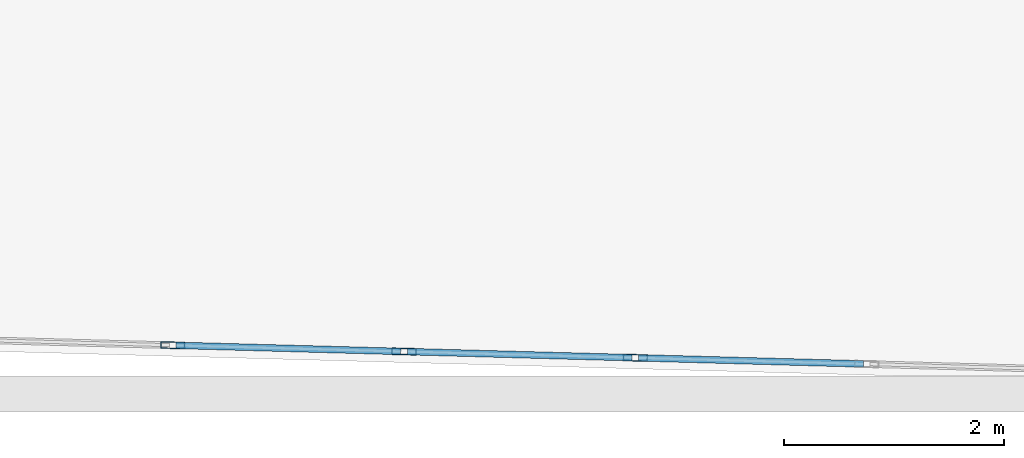
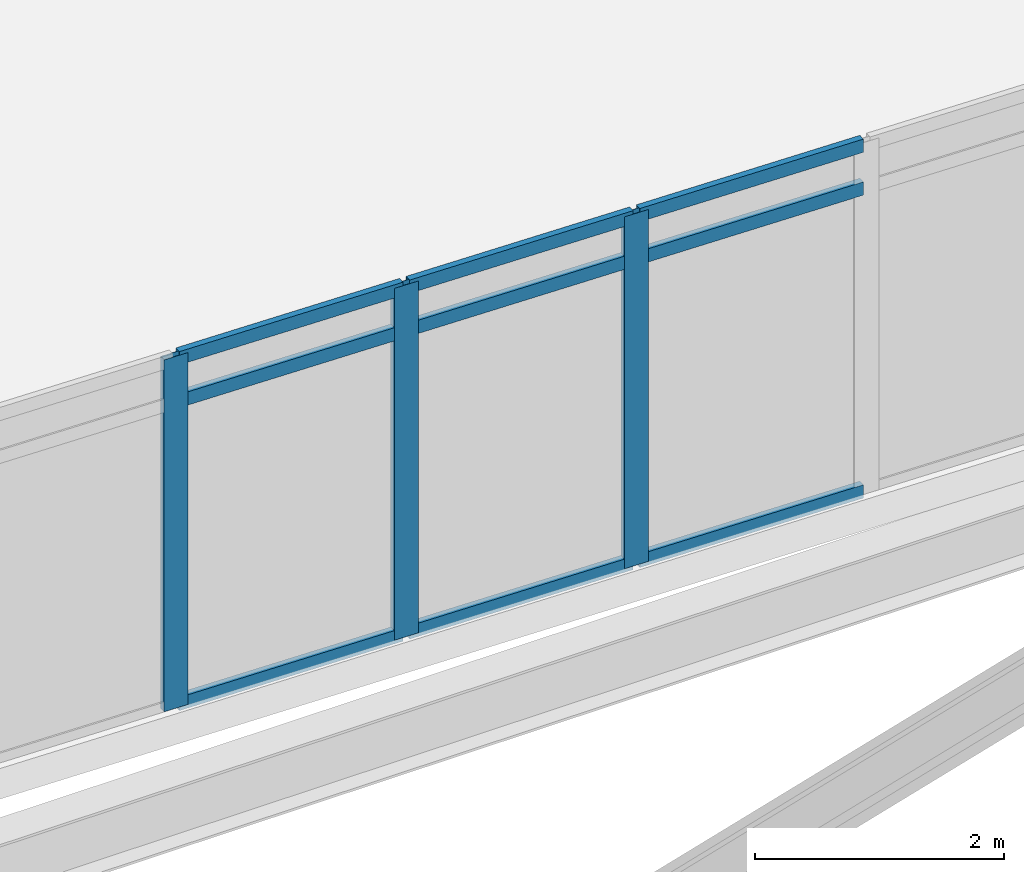
# One storey, part 9 of 38: 12 members, 1 element without a shape of its own.
"""IFC4 building model written with IfcOpenShell, lengths in metres."""

import ifcopenshell
import ifcopenshell.guid

model = None  # the IFC model being written
_history = None  # IfcOwnerHistory: only IFC2X3 demands one
_inside = {}  # id of a spatial element -> (the spatial element, [elements in it])
_under = {}  # id of a project, library or spatial element -> (it, [spatial elements below it])
_declared = {}  # id of a project -> (the project, [libraries it declares])
_typed = {}  # id of a type object -> (the type object, [elements of that type])
_made_of = {}  # id of a material, layer set ... -> (it, [elements and type objects made of it])


def new_model(schema):
    """Start an empty IFC model of exactly this schema.

    Asked for "IFC4X3", IfcOpenShell would pick the latest addendum, in which some entities
    have other attributes; the version numbers below select the first issue.
    IFC2X3 requires an IfcOwnerHistory on every rooted entity: one is made here for all.
    """
    global model, _history
    if schema == "IFC4X3":
        model = ifcopenshell.file(schema_version=(4, 3, 0, 0))
    else:
        model = ifcopenshell.file(schema=schema)
    _inside.clear()
    _under.clear()
    _declared.clear()
    _typed.clear()
    _made_of.clear()
    _history = None
    if model.schema == "IFC2X3":
        org = make("IfcOrganization", Name="unknown")
        user = make(
            "IfcPersonAndOrganization",
            ThePerson=make("IfcPerson", FamilyName="unknown"),
            TheOrganization=org,
        )
        app = make(
            "IfcApplication",
            ApplicationDeveloper=org,
            Version="unknown",
            ApplicationFullName="unknown",
            ApplicationIdentifier="unknown",
        )
        _history = make(
            "IfcOwnerHistory",
            OwningUser=user,
            OwningApplication=app,
            ChangeAction="ADDED",
            CreationDate=0,
        )
    return model


def make(cls, **values):
    """One entity of the class cls with the attributes given. An attribute that is None is left unset."""
    return model.create_entity(
        cls, **{name: value for name, value in values.items() if value is not None}
    )


def rooted(cls, **values):
    """An entity with a GlobalId (a new one), such as an element, a storey or a relation."""
    return make(cls, GlobalId=ifcopenshell.guid.new(), OwnerHistory=_history, **values)


def si_unit(unit_type, name, prefix=None):
    """IfcSIUnit, for example si_unit("LENGTHUNIT", "METRE", prefix="MILLI")."""
    return make("IfcSIUnit", UnitType=unit_type, Prefix=prefix, Name=name)


def assignment(units):
    """IfcUnitAssignment: the units of a project."""
    return None if units is None else make("IfcUnitAssignment", Units=units)


def point(xyz):
    """IfcCartesianPoint."""
    return None if xyz is None else make("IfcCartesianPoint", Coordinates=xyz)


def direction(xyz):
    """IfcDirection."""
    return None if xyz is None else make("IfcDirection", DirectionRatios=xyz)


def frame(location, z_axis=None, x_axis=None):
    """IfcAxis2Placement3D, a coordinate frame: its origin and axes. An axis left out is left unset."""
    return make(
        "IfcAxis2Placement3D",
        Location=point(location),
        Axis=direction(z_axis),
        RefDirection=direction(x_axis),
    )


def frame_2d(location, x_axis=None):
    """IfcAxis2Placement2D, a coordinate frame in the plane: its origin and x axis."""
    return make(
        "IfcAxis2Placement2D", Location=point(location), RefDirection=direction(x_axis)
    )


def origin():
    """The frame at (0, 0, 0) with its axes left unset."""
    return frame((0.0, 0.0, 0.0))


def origin_2d():
    """The frame at (0, 0) in the plane with its x axis left unset."""
    return frame_2d((0.0, 0.0))


def place(relative_to, where):
    """IfcLocalPlacement: puts the frame where relative to a parent placement (None: the world)."""
    return make(
        "IfcLocalPlacement", PlacementRelTo=relative_to, RelativePlacement=where
    )


def context(
    kind, dimensions, precision=None, world=None, true_north=None, identifier=None
):
    """IfcGeometricRepresentationContext, for example the 3D "Model" context."""
    return make(
        "IfcGeometricRepresentationContext",
        ContextIdentifier=identifier,
        ContextType=kind,
        CoordinateSpaceDimension=dimensions,
        Precision=precision,
        WorldCoordinateSystem=world,
        TrueNorth=true_north,
    )


def subcontext(parent, identifier, kind, view, scale=None):
    """IfcGeometricRepresentationSubContext, for example "Body" below "Model"."""
    return make(
        "IfcGeometricRepresentationSubContext",
        ContextIdentifier=identifier,
        ContextType=kind,
        ParentContext=parent,
        TargetScale=scale,
        TargetView=view,
    )


def project(units=None, contexts=None):
    """IfcProject with its units and contexts."""
    return rooted(
        "IfcProject",
        Name="project",
        RepresentationContexts=contexts,
        UnitsInContext=assignment(units),
    )


def spatial(cls, under=None, at=None, **own):
    """A site, building, storey or space (cls), placed at a placement, below another one or the project."""
    s = rooted(cls, ObjectPlacement=at, **own)
    if under is not None:
        _under.setdefault(under.id(), (under, []))[1].append(s)
    return s


def profile(cls, at=None, kind="AREA", **sizes):
    """A parametric profile (cls). Its sizes go by their IFC names, for example OverallWidth=200.0."""
    return make(cls, ProfileType=kind, Position=at, **sizes)


def hollow_rectangle(**sizes):
    """IfcRectangleHollowProfileDef."""
    return profile("IfcRectangleHollowProfileDef", **sizes)


def extrude(swept, where, along, depth):
    """IfcExtrudedAreaSolid: the profile swept, set in the frame where, extruded along a direction by depth."""
    return make(
        "IfcExtrudedAreaSolid",
        SweptArea=swept,
        Position=where,
        ExtrudedDirection=direction(along),
        Depth=depth,
    )


def shape(context_of_items, identifier, shape_type, items):
    """IfcShapeRepresentation: the items that make up one representation, for example the "Body"."""
    return make(
        "IfcShapeRepresentation",
        ContextOfItems=context_of_items,
        RepresentationIdentifier=identifier,
        RepresentationType=shape_type,
        Items=items,
    )


def material(Name=None, Category=None):
    """IfcMaterial."""
    return make("IfcMaterial", Name=Name, Category=Category)


def material_profile(
    of_material, cross_section, Name=None, Category=None, Priority=None
):
    """IfcMaterialProfile: a cross section and its material."""
    return make(
        "IfcMaterialProfile",
        Name=Name,
        Material=of_material,
        Profile=cross_section,
        Priority=Priority,
        Category=Category,
    )


def profile_set(profiles, Name=None, composite=None):
    """IfcMaterialProfileSet."""
    return make(
        "IfcMaterialProfileSet",
        Name=Name,
        MaterialProfiles=profiles,
        CompositeProfile=composite,
    )


def made_of(thing, what):
    """Note that an element or type object is made of a material, layer set ...; save() writes the relation."""
    if what is not None:
        _made_of.setdefault(what.id(), (what, []))[1].append(thing)
    return thing


def type_object(cls, material=None, **own):
    """A type object (cls), such as IfcWallType, which elements share."""
    return made_of(rooted(cls, **own), material)


def element(
    cls,
    number,
    at=None,
    inside=None,
    cuts=None,
    type_object=None,
    material=None,
    context=None,
    identifier="Body",
    shape_type=None,
    held_by="IfcProductDefinitionShape",
    body=None,
    shapes=None,
    **own,
):
    """One element of the class cls, such as IfcWall. Its Tag is "e" and its number.

    at: its placement. inside: the storey or other place that contains it. cuts: it is an
    opening in that element (IfcRelVoidsElement). A single representation is given by context,
    identifier, shape_type and body (its items); several are given by shapes. held_by: the class
    of the entity that holds the representations. save() writes the other relations.
    """
    e = rooted(cls, Tag="e%d" % number, ObjectPlacement=at, **own)
    if body is not None:
        shapes = [shape(context, identifier, shape_type, body)]
    if shapes is not None:
        e.Representation = make(held_by, Representations=shapes)
    if inside is not None:
        _inside.setdefault(inside.id(), (inside, []))[1].append(e)
    if cuts is not None:
        rooted(
            "IfcRelVoidsElement", RelatingBuildingElement=cuts, RelatedOpeningElement=e
        )
    if type_object is not None:
        _typed.setdefault(type_object.id(), (type_object, []))[1].append(e)
    return made_of(e, material)


def aggregate(whole, parts):
    """IfcRelAggregates: a whole, such as a stair, and the parts it consists of."""
    return rooted("IfcRelAggregates", RelatingObject=whole, RelatedObjects=parts)


def save(model, path):
    """Write the relations noted so far, then the file.

    IfcRelAggregates (storeys below a building ...), IfcRelContainedInSpatialStructure (elements
    in a storey), IfcRelDefinesByType, IfcRelAssociatesMaterial and IfcRelDeclares: one each for
    every whole, place, type object, material and project.
    """
    for whole, parts in _under.values():
        aggregate(whole, parts)
    for where, things in _inside.values():
        rooted(
            "IfcRelContainedInSpatialStructure",
            RelatedElements=things,
            RelatingStructure=where,
        )
    for kind, things in _typed.values():
        rooted("IfcRelDefinesByType", RelatedObjects=things, RelatingType=kind)
    for what, things in _made_of.values():
        rooted("IfcRelAssociatesMaterial", RelatedObjects=things, RelatingMaterial=what)
    for by, libraries in _declared.values():
        rooted("IfcRelDeclares", RelatingContext=by, RelatedDefinitions=libraries)
    model.write(path)


model = new_model("IFC4")

# Units and contexts
model_context = context("Model", 3, precision=1e-05, world=origin(), true_north=direction((0.0, 1.0)))
body_context = subcontext(model_context, "Body", "Model", "MODEL_VIEW")
ifc_project = project(units=[si_unit("LENGTHUNIT", "METRE"), si_unit("AREAUNIT", "SQUARE_METRE"), si_unit("VOLUMEUNIT", "CUBIC_METRE"), si_unit("PLANEANGLEUNIT", "RADIAN"), si_unit("MASSUNIT", "GRAM", prefix="KILO")], contexts=[model_context])

# Site, building, storey
site_placement = place(None, origin())
site = spatial("IfcSite", under=ifc_project, at=site_placement, CompositionType="ELEMENT")
building_placement = place(site_placement, origin())
building = spatial("IfcBuilding", under=site, at=building_placement, Name="Ostrander Bayou Hotel Tower", CompositionType="ELEMENT")
storey_placement = place(building_placement, frame((0.0, 0.0, 65.5)))
storey = spatial("IfcBuildingStorey", under=building, at=storey_placement, Name="L16", CompositionType="ELEMENT", Elevation=65.5)

# Curtain wall, members
ifc_material_1 = material(Name="Aluminium and clear glass", Category="aluminium")
curtain_wall_type = type_object("IfcCurtainWallType", Name="CW-BAR glazed wall", PredefinedType="NOTDEFINED", material=ifc_material_1)
curtain_wall_placement = place(storey_placement, origin())
curtain_wall = element("IfcCurtainWall", 1, at=curtain_wall_placement, inside=storey, type_object=curtain_wall_type, Name="CW-BAR L16:SB1S:T", PredefinedType="NOTDEFINED")
ifc_material_2 = material(Name="Aluminium", Category="aluminium")
ifc_material_profile_1 = material_profile(ifc_material_2, hollow_rectangle(XDim=0.06005859375, YDim=0.219970703125, WallThickness=0.00390625, at=origin_2d()))
ifc_profile_set_1 = profile_set([ifc_material_profile_1], Name="Aluminium")
member_type_1 = type_object("IfcMemberType", Name="CW-BR mullion 60 x 220 mm", PredefinedType="MULLION", material=ifc_profile_set_1)
member_1_placement = place(storey_placement, frame((2.101806640625, -32.5068359375, 0.0), z_axis=(0.0, 0.0, 1.0), x_axis=(0.027042484848, 0.999634285133, 0.0)))
member_1 = element("IfcMember", 2, at=member_1_placement, type_object=member_type_1, Name="CW-BAR mullion 9", PredefinedType="MULLION", context=body_context, shape_type="SweptSolid", body=[
    extrude(hollow_rectangle(XDim=0.06005859375, YDim=0.219970703125, WallThickness=0.00390625, at=origin_2d()), origin(), (0.0, 0.0, 1.0), 3.449951171875),
])
member_2_placement = place(storey_placement, frame((4.203369140625, -32.563720703125, 0.0), z_axis=(0.0, 0.0, 1.0), x_axis=(0.027042484848, 0.999634285133, 0.0)))
member_2 = element("IfcMember", 3, at=member_2_placement, type_object=member_type_1, Name="CW-BAR mullion 10", PredefinedType="MULLION", context=body_context, shape_type="SweptSolid", body=[
    extrude(hollow_rectangle(XDim=0.06005859375, YDim=0.219970703125, WallThickness=0.00390625, at=origin_2d()), origin(), (0.0, 0.0, 1.0), 3.449951171875),
])
member_3_placement = place(storey_placement, frame((6.30517578125, -32.62060546875, 0.0), z_axis=(0.0, 0.0, 1.0), x_axis=(0.027042484848, 0.999634285133, 0.0)))
member_3 = element("IfcMember", 4, at=member_3_placement, type_object=member_type_1, Name="CW-BAR mullion 11", PredefinedType="MULLION", context=body_context, shape_type="SweptSolid", body=[
    extrude(hollow_rectangle(XDim=0.06005859375, YDim=0.219970703125, WallThickness=0.00390625, at=origin_2d()), origin(), (0.0, 0.0, 1.0), 3.449951171875),
])
ifc_material_3 = material(Name="Aluminium", Category="aluminium")
ifc_material_profile_2 = material_profile(ifc_material_3, hollow_rectangle(XDim=0.06005859375, YDim=0.1298828125, WallThickness=0.00390625, at=origin_2d()))
ifc_profile_set_2 = profile_set([ifc_material_profile_2], Name="Aluminium")
member_type_2 = type_object("IfcMemberType", Name="CW-BR transom 60 x 130 mm", PredefinedType="USERDEFINED", material=ifc_profile_set_2)
member_4_placement = place(storey_placement, frame((2.1318359375, -32.507568359375, 0.030029296875), z_axis=(0.999631822175, -0.027133376017, 0.0), x_axis=(0.027133376017, 0.999631822175, 0.0)))
member_4 = element("IfcMember", 5, at=member_4_placement, type_object=member_type_2, Name="CW-BAR transom 9.1", ObjectType="TRANSOM", PredefinedType="USERDEFINED", context=body_context, shape_type="SweptSolid", body=[
    extrude(hollow_rectangle(XDim=0.06005859375, YDim=0.1298828125, WallThickness=0.00390625, at=origin_2d()), origin(), (0.0, 0.0, 1.0), 2.04248046875),
])
member_5_placement = place(storey_placement, frame((2.1318359375, -32.507568359375, 3.0), z_axis=(0.999631822175, -0.027133376017, 0.0), x_axis=(0.027133376017, 0.999631822175, 0.0)))
member_5 = element("IfcMember", 6, at=member_5_placement, type_object=member_type_2, Name="CW-BAR transom 9.2", ObjectType="TRANSOM", PredefinedType="USERDEFINED", context=body_context, shape_type="SweptSolid", body=[
    extrude(hollow_rectangle(XDim=0.06005859375, YDim=0.1298828125, WallThickness=0.00390625, at=origin_2d()), origin(), (0.0, 0.0, 1.0), 2.04248046875),
])
member_6_placement = place(storey_placement, frame((2.1318359375, -32.507568359375, 3.419921875), z_axis=(0.999631822175, -0.027133376017, 0.0), x_axis=(0.027133376017, 0.999631822175, 0.0)))
member_6 = element("IfcMember", 7, at=member_6_placement, type_object=member_type_2, Name="CW-BAR transom 9.3", ObjectType="TRANSOM", PredefinedType="USERDEFINED", context=body_context, shape_type="SweptSolid", body=[
    extrude(hollow_rectangle(XDim=0.06005859375, YDim=0.1298828125, WallThickness=0.00390625, at=origin_2d()), origin(), (0.0, 0.0, 1.0), 2.04248046875),
])
member_7_placement = place(storey_placement, frame((4.2333984375, -32.564453125, 0.030029296875), z_axis=(0.999631822175, -0.027133376017, 0.0), x_axis=(0.027133376017, 0.999631822175, 0.0)))
member_7 = element("IfcMember", 8, at=member_7_placement, type_object=member_type_2, Name="CW-BAR transom 10.1", ObjectType="TRANSOM", PredefinedType="USERDEFINED", context=body_context, shape_type="SweptSolid", body=[
    extrude(hollow_rectangle(XDim=0.06005859375, YDim=0.1298828125, WallThickness=0.00390625, at=origin_2d()), origin(), (0.0, 0.0, 1.0), 2.04248046875),
])
member_8_placement = place(storey_placement, frame((4.2333984375, -32.564453125, 3.0), z_axis=(0.999631822175, -0.027133376017, 0.0), x_axis=(0.027133376017, 0.999631822175, 0.0)))
member_8 = element("IfcMember", 9, at=member_8_placement, type_object=member_type_2, Name="CW-BAR transom 10.2", ObjectType="TRANSOM", PredefinedType="USERDEFINED", context=body_context, shape_type="SweptSolid", body=[
    extrude(hollow_rectangle(XDim=0.06005859375, YDim=0.1298828125, WallThickness=0.00390625, at=origin_2d()), origin(), (0.0, 0.0, 1.0), 2.04248046875),
])
member_9_placement = place(storey_placement, frame((4.2333984375, -32.564453125, 3.419921875), z_axis=(0.999631822175, -0.027133376017, 0.0), x_axis=(0.027133376017, 0.999631822175, 0.0)))
member_9 = element("IfcMember", 10, at=member_9_placement, type_object=member_type_2, Name="CW-BAR transom 10.3", ObjectType="TRANSOM", PredefinedType="USERDEFINED", context=body_context, shape_type="SweptSolid", body=[
    extrude(hollow_rectangle(XDim=0.06005859375, YDim=0.1298828125, WallThickness=0.00390625, at=origin_2d()), origin(), (0.0, 0.0, 1.0), 2.04248046875),
])
member_10_placement = place(storey_placement, frame((6.335205078125, -32.621337890625, 0.030029296875), z_axis=(0.999635057116, -0.027013933147, 0.0), x_axis=(0.027013933147, 0.999635057116, 0.0)))
member_10 = element("IfcMember", 11, at=member_10_placement, type_object=member_type_2, Name="CW-BAR transom 11.1", ObjectType="TRANSOM", PredefinedType="USERDEFINED", context=body_context, shape_type="SweptSolid", body=[
    extrude(hollow_rectangle(XDim=0.06005859375, YDim=0.1298828125, WallThickness=0.00390625, at=origin_2d()), origin(), (0.0, 0.0, 1.0), 2.04248046875),
])
member_11_placement = place(storey_placement, frame((6.335205078125, -32.621337890625, 3.0), z_axis=(0.999635057116, -0.027013933147, 0.0), x_axis=(0.027013933147, 0.999635057116, 0.0)))
member_11 = element("IfcMember", 12, at=member_11_placement, type_object=member_type_2, Name="CW-BAR transom 11.2", ObjectType="TRANSOM", PredefinedType="USERDEFINED", context=body_context, shape_type="SweptSolid", body=[
    extrude(hollow_rectangle(XDim=0.06005859375, YDim=0.1298828125, WallThickness=0.00390625, at=origin_2d()), origin(), (0.0, 0.0, 1.0), 2.04248046875),
])
member_12_placement = place(storey_placement, frame((6.335205078125, -32.621337890625, 3.419921875), z_axis=(0.999635057116, -0.027013933147, 0.0), x_axis=(0.027013933147, 0.999635057116, 0.0)))
member_12 = element("IfcMember", 13, at=member_12_placement, type_object=member_type_2, Name="CW-BAR transom 11.3", ObjectType="TRANSOM", PredefinedType="USERDEFINED", context=body_context, shape_type="SweptSolid", body=[
    extrude(hollow_rectangle(XDim=0.06005859375, YDim=0.1298828125, WallThickness=0.00390625, at=origin_2d()), origin(), (0.0, 0.0, 1.0), 2.04248046875),
])
aggregate(curtain_wall, [member_1, member_2, member_3, member_4, member_5, member_6, member_7, member_8, member_9, member_10, member_11, member_12])

save(model, "model.ifc")
